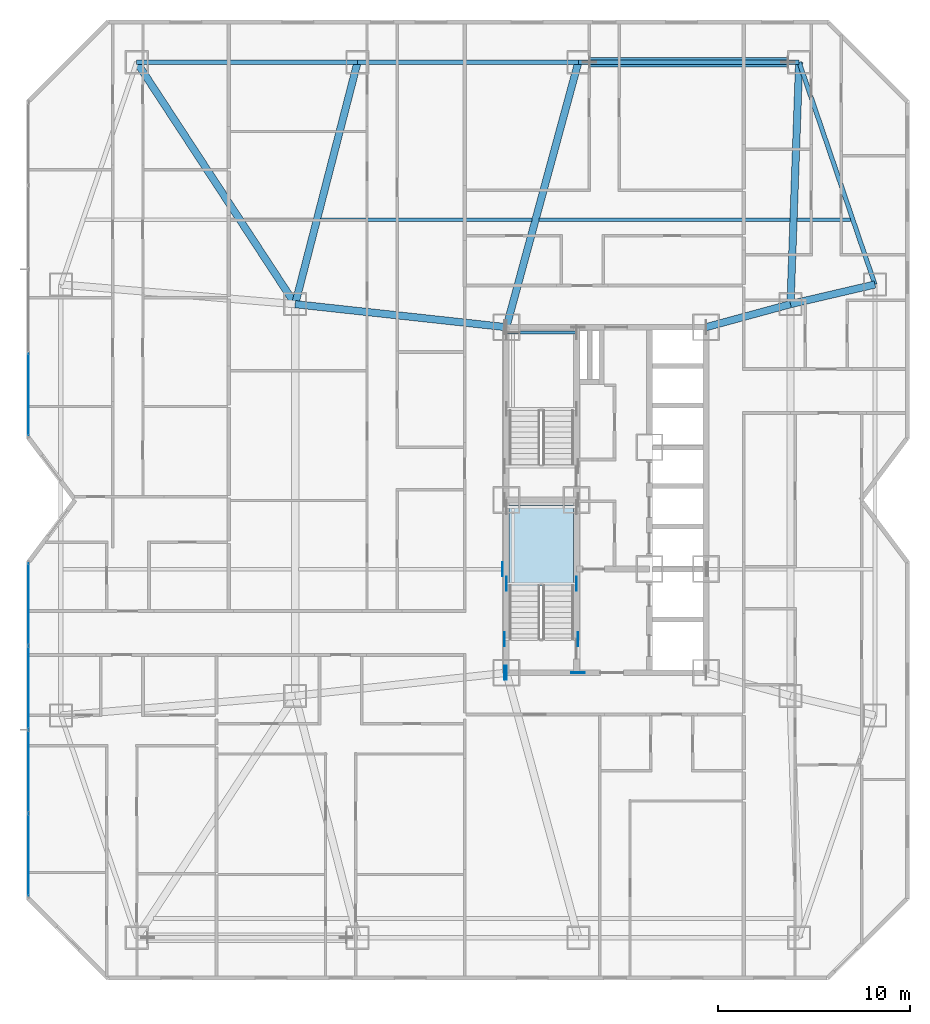
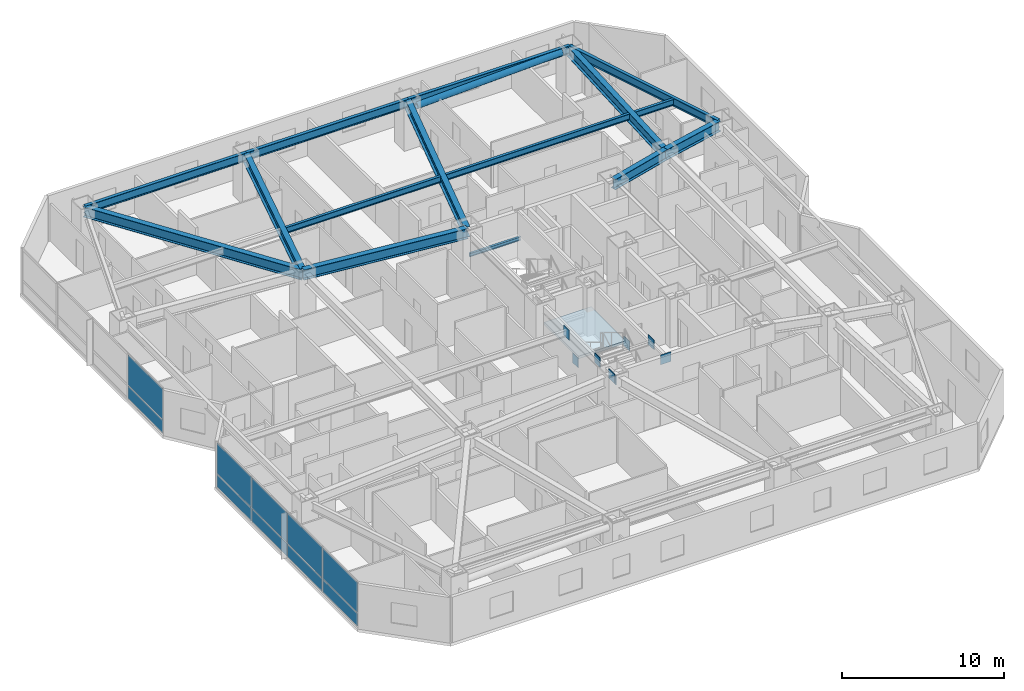
# One storey, part 12 of 25: 18 plates, 15 beams, 1 member, 1 slab, 3 elements without a shape of their own.
"""IFC4 building model written with IfcOpenShell, lengths in metres."""

from ifc_helpers import new_model, si_unit, direction, frame, origin, origin_2d, place, context, subcontext, project, spatial, polyline, rectangle, hollow_circle, i_section, outline, extrude, material, layer, layer_set, material_profile, profile_set, type_object, element, aggregate, save


model = new_model("IFC4")

# Units and contexts
model_context = context("Model", 3, precision=1e-05, world=origin(), true_north=direction((0.0, 1.0)))
body_context = subcontext(model_context, "Body", "Model", "MODEL_VIEW")
ifc_project = project(units=[si_unit("LENGTHUNIT", "METRE"), si_unit("AREAUNIT", "SQUARE_METRE"), si_unit("VOLUMEUNIT", "CUBIC_METRE"), si_unit("PLANEANGLEUNIT", "RADIAN"), si_unit("MASSUNIT", "GRAM", prefix="KILO")], contexts=[model_context])

# Site, building, storey
site_placement = place(None, origin())
site = spatial("IfcSite", under=ifc_project, at=site_placement, CompositionType="ELEMENT")
building_placement = place(site_placement, origin())
building = spatial("IfcBuilding", under=site, at=building_placement, Name="Khamvora Tower", CompositionType="ELEMENT")
storey_placement = place(building_placement, frame((0.0, 0.0, 36.949951171875)))
storey = spatial("IfcBuildingStorey", under=building, at=storey_placement, Name="L08", CompositionType="ELEMENT", Elevation=36.949951171875)

# Beams
ifc_material_1 = material(Name="Steel S355", Category="steel")
ifc_material_profile_1 = material_profile(ifc_material_1, i_section(OverallWidth=0.19189453125, OverallDepth=0.462890625, WebThickness=0.010986328125, FlangeThickness=0.01806640625, FilletRadius=0.011962890625, at=origin_2d()), Name="W460x89")
ifc_profile_set_1 = profile_set([ifc_material_profile_1], Name="Steel S355")
beam_type_1 = type_object("IfcBeamType", Name="BM-JS-W460x89", PredefinedType="JOIST", material=ifc_profile_set_1)
beam_1_placement = place(storey_placement, frame((19.326904296875, 42.60009765625, 3.198974609375), z_axis=(1.0, 0.0, 0.0), x_axis=(0.0, 1.0, 0.0)))
element("IfcBeam", 1, at=beam_1_placement, inside=storey, type_object=beam_type_1, Name="L08 secondary floor joist 10", PredefinedType="JOIST", context=body_context, shape_type="SweptSolid", body=[
    extrude(i_section(OverallWidth=0.19189453125, OverallDepth=0.462890625, WebThickness=0.010986328125, FlangeThickness=0.01806640625, FilletRadius=0.011962890625, at=origin_2d()), origin(), (0.0, 0.0, 1.0), 11.002197265625),
])
beam_2_placement = place(storey_placement, frame((30.714111328125, 42.60009765625, 3.198974609375), z_axis=(1.0, 0.0, 0.0), x_axis=(0.0, 1.0, 0.0)))
element("IfcBeam", 2, at=beam_2_placement, inside=storey, type_object=beam_type_1, Name="L08 secondary floor joist 11", PredefinedType="JOIST", context=body_context, shape_type="SweptSolid", body=[
    extrude(i_section(OverallWidth=0.19189453125, OverallDepth=0.462890625, WebThickness=0.010986328125, FlangeThickness=0.01806640625, FilletRadius=0.011962890625, at=origin_2d()), origin(), (0.0, 0.0, 1.0), 13.057861328125),
])
beam_3_placement = place(storey_placement, frame((44.14306640625, 42.60009765625, 3.198974609375), z_axis=(1.0, 0.0, 0.0), x_axis=(0.0, 1.0, 0.0)))
element("IfcBeam", 3, at=beam_3_placement, inside=storey, type_object=beam_type_1, Name="L08 secondary floor joist 12", PredefinedType="JOIST", context=body_context, shape_type="SweptSolid", body=[
    extrude(i_section(OverallWidth=0.19189453125, OverallDepth=0.462890625, WebThickness=0.010986328125, FlangeThickness=0.01806640625, FilletRadius=0.011962890625, at=origin_2d()), origin(), (0.0, 0.0, 1.0), 2.788818359375),
])
ifc_material_profile_2 = material_profile(ifc_material_1, i_section(OverallWidth=0.14697265625, OverallDepth=0.261962890625, WebThickness=0.007080078125, FlangeThickness=0.010986328125, FilletRadius=0.008056640625, at=origin_2d()), Name="W250x39")
ifc_profile_set_2 = profile_set([ifc_material_profile_2], Name="Steel S355")
beam_type_2 = type_object("IfcBeamType", Name="BM-LN-W250x39", PredefinedType="LINTEL", material=ifc_profile_set_2)
beam_4_placement = place(storey_placement, frame((29.0, 36.72998046875, 1.494140625), z_axis=(1.0, 0.0, 0.0), x_axis=(0.0, 1.0, 0.0)))
element("IfcBeam", 4, at=beam_4_placement, inside=storey, type_object=beam_type_2, Name="L08 ST-02 half-landing support beam 1.2", PredefinedType="LINTEL", context=body_context, shape_type="SweptSolid", body=[
    extrude(i_section(OverallWidth=0.14697265625, OverallDepth=0.261962890625, WebThickness=0.007080078125, FlangeThickness=0.010986328125, FilletRadius=0.008056640625, at=origin_2d()), origin(), (0.0, 0.0, 1.0), 3.64990234375),
])
ifc_material_profile_3 = material_profile(ifc_material_1, i_section(OverallWidth=0.381103515625, OverallDepth=0.77294921875, WebThickness=0.01708984375, FlangeThickness=0.027099609375, FilletRadius=0.01806640625, at=origin_2d()), Name="W760x257")
ifc_profile_set_3 = profile_set([ifc_material_profile_3], Name="Steel S355")
beam_type_3 = type_object("IfcBeamType", Name="BM-PG-W760x257", PredefinedType="BEAM", material=ifc_profile_set_3)
beam_5_placement = place(storey_placement, frame((18.0, 38.199951171875, 3.0439453125), z_axis=(-0.547782969742, 0.836620474325, 0.0), x_axis=(-0.836620474325, -0.547782969742, 0.0)))
element("IfcBeam", 5, at=beam_5_placement, inside=storey, type_object=beam_type_3, Name="L08 primary floor girder N1", PredefinedType="BEAM", context=body_context, shape_type="SweptSolid", body=[
    extrude(i_section(OverallWidth=0.381103515625, OverallDepth=0.77294921875, WebThickness=0.01708984375, FlangeThickness=0.027099609375, FilletRadius=0.01806640625, at=origin_2d()), origin(), (0.0, 0.0, 1.0), 15.060791015625),
])
beam_6_placement = place(storey_placement, frame((18.0, 38.199951171875, 3.0439453125), z_axis=(0.249759990341, 0.968307775051, 0.0), x_axis=(-0.968307775051, 0.249759990341, 0.0)))
element("IfcBeam", 6, at=beam_6_placement, inside=storey, type_object=beam_type_3, Name="L08 primary floor girder N2", PredefinedType="BEAM", context=body_context, shape_type="SweptSolid", body=[
    extrude(i_section(OverallWidth=0.381103515625, OverallDepth=0.77294921875, WebThickness=0.01708984375, FlangeThickness=0.027099609375, FilletRadius=0.01806640625, at=origin_2d()), origin(), (0.0, 0.0, 1.0), 13.012451171875),
])
beam_7_placement = place(storey_placement, frame((29.0, 37.0, 3.0439453125), z_axis=(0.262228883577, 0.965005706003, 0.0), x_axis=(-0.965005706003, 0.262228883577, 0.0)))
element("IfcBeam", 7, at=beam_7_placement, inside=storey, type_object=beam_type_3, Name="L08 primary floor girder N3", PredefinedType="BEAM", context=body_context, shape_type="SweptSolid", body=[
    extrude(i_section(OverallWidth=0.381103515625, OverallDepth=0.77294921875, WebThickness=0.01708984375, FlangeThickness=0.027099609375, FilletRadius=0.01806640625, at=origin_2d()), origin(), (0.0, 0.0, 1.0), 14.300537109375),
])
beam_8_placement = place(storey_placement, frame((43.800048828125, 38.199951171875, 3.0439453125), z_axis=(0.035687386423, 0.999363002342, 0.0), x_axis=(-0.999363002342, 0.035687386423, 0.0)))
element("IfcBeam", 8, at=beam_8_placement, inside=storey, type_object=beam_type_3, Name="L08 primary floor girder N4", PredefinedType="BEAM", context=body_context, shape_type="SweptSolid", body=[
    extrude(i_section(OverallWidth=0.381103515625, OverallDepth=0.77294921875, WebThickness=0.01708984375, FlangeThickness=0.027099609375, FilletRadius=0.01806640625, at=origin_2d()), origin(), (0.0, 0.0, 1.0), 12.608154296875),
])
beam_9_placement = place(storey_placement, frame((43.800048828125, 38.199951171875, 3.0439453125), z_axis=(0.973914503503, 0.226915270237, 0.0), x_axis=(-0.226915270237, 0.973914503503, 0.0)))
element("IfcBeam", 9, at=beam_9_placement, inside=storey, type_object=beam_type_3, Name="L08 primary floor girder E2", PredefinedType="BEAM", context=body_context, shape_type="SweptSolid", body=[
    extrude(i_section(OverallWidth=0.381103515625, OverallDepth=0.77294921875, WebThickness=0.01708984375, FlangeThickness=0.027099609375, FilletRadius=0.01806640625, at=origin_2d()), origin(), (0.0, 0.0, 1.0), 4.517822265625),
])
beam_10_placement = place(storey_placement, frame((29.0, 37.0, 3.0439453125), z_axis=(-0.994102652327, 0.108443149329, 0.0), x_axis=(-0.108443149329, -0.994102652327, 0.0)))
element("IfcBeam", 10, at=beam_10_placement, inside=storey, type_object=beam_type_3, Name="L08 primary floor girder MW2", PredefinedType="BEAM", context=body_context, shape_type="SweptSolid", body=[
    extrude(i_section(OverallWidth=0.381103515625, OverallDepth=0.77294921875, WebThickness=0.01708984375, FlangeThickness=0.027099609375, FilletRadius=0.01806640625, at=origin_2d()), origin(), (0.0, 0.0, 1.0), 11.065185546875),
])
beam_11_placement = place(storey_placement, frame((39.39990234375, 37.0, 3.0439453125), z_axis=(0.964768762286, 0.263099287945, 0.0), x_axis=(-0.263099287945, 0.964768762286, 0.0)))
element("IfcBeam", 11, at=beam_11_placement, inside=storey, type_object=beam_type_3, Name="L08 primary floor girder M2", PredefinedType="BEAM", context=body_context, shape_type="SweptSolid", body=[
    extrude(i_section(OverallWidth=0.381103515625, OverallDepth=0.77294921875, WebThickness=0.01708984375, FlangeThickness=0.027099609375, FilletRadius=0.01806640625, at=origin_2d()), origin(), (0.0, 0.0, 1.0), 4.560791015625),
])
ifc_material_profile_4 = material_profile(ifc_material_1, i_section(OverallWidth=0.22998046875, OverallDepth=0.616943359375, WebThickness=0.012939453125, FlangeThickness=0.02197265625, FilletRadius=0.013916015625, at=origin_2d()), Name="W610x140")
ifc_profile_set_4 = profile_set([ifc_material_profile_4], Name="Steel S355")
beam_type_4 = type_object("IfcBeamType", Name="BM-SP-W610x140", PredefinedType="SPANDREL", material=ifc_profile_set_4)
beam_12_placement = place(storey_placement, frame((48.199951171875, 39.22509765625, 3.1220703125), z_axis=(-0.322962893199, 0.946411628002, 0.0), x_axis=(-0.946411628002, -0.322962893199, 0.0)))
element("IfcBeam", 12, at=beam_12_placement, inside=storey, type_object=beam_type_4, Name="L08 perimeter spandrel beam E2-N4", PredefinedType="SPANDREL", context=body_context, shape_type="SweptSolid", body=[
    extrude(i_section(OverallWidth=0.22998046875, OverallDepth=0.616943359375, WebThickness=0.012939453125, FlangeThickness=0.02197265625, FilletRadius=0.013916015625, at=origin_2d()), origin(), (0.0, 0.0, 1.0), 12.23046875),
])
for number, where, z_axis, x_axis, name in (
    (13, (44.25, 50.800048828125, 3.1220703125), (-1.0, 0.0, 0.0), (0.0, -1.0, 0.0), "L08 perimeter spandrel beam N4-N3"),
    (14, (32.75, 50.800048828125, 3.1220703125), (-1.0, 0.0, 0.0), (0.0, -1.0, 0.0), "L08 perimeter spandrel beam N3-N2"),
    (15, (21.25, 50.800048828125, 3.1220703125), (-1.0, 0.0, 0.0), (0.0, -1.0, 0.0), "L08 perimeter spandrel beam N2-N1"),
):
    element("IfcBeam", number, at=place(storey_placement, frame(where, z_axis=z_axis, x_axis=x_axis)), inside=storey, type_object=beam_type_4, Name=name, PredefinedType="SPANDREL", context=body_context, shape_type="SweptSolid", body=[
        extrude(i_section(OverallWidth=0.22998046875, OverallDepth=0.616943359375, WebThickness=0.012939453125, FlangeThickness=0.02197265625, FilletRadius=0.013916015625, at=origin_2d()), origin(), (0.0, 0.0, 1.0), 11.5),
    ])

# Member
ifc_material_2 = material(Name="Steel S460", Category="steel")
ifc_material_profile_5 = material_profile(ifc_material_2, hollow_circle(Radius=0.25390625, WallThickness=0.02490234375, at=origin_2d()), Name="CHS508x25")
ifc_profile_set_5 = profile_set([ifc_material_profile_5], Name="Steel S460")
member_type = type_object("IfcMemberType", Name="MEM-BR-CHS508", PredefinedType="BRACE", material=ifc_profile_set_5)
member_placement = place(storey_placement, frame((33.330078125, 50.800048828125, 2.7021484375), z_axis=(0.99926019848, 0.0, 0.038458493661), x_axis=(0.0, 1.0, 0.0)))
element("IfcMember", 16, at=member_placement, inside=storey, type_object=member_type, Name="L08 perimeter wind brace 2", PredefinedType="BRACE", context=body_context, shape_type="SweptSolid", body=[
    extrude(hollow_circle(Radius=0.25390625, WallThickness=0.02490234375, at=origin_2d()), origin(), (0.0, 0.0, 1.0), 10.347412109375),
])

# Curtain wall, plates
ifc_material_3 = material(Name="Anodised Aluminium 6063-T6", Category="aluminium")
curtain_wall_type = type_object("IfcCurtainWallType", Name="CW-SYS-02", PredefinedType="NOTDEFINED", material=ifc_material_3)
curtain_wall_1_placement = place(storey_placement, origin())
curtain_wall_1 = element("IfcCurtainWall", 17, at=curtain_wall_1_placement, inside=storey, type_object=curtain_wall_type, Name="L08 stick curtain wall 02.1", PredefinedType="NOTDEFINED")
ifc_material_4 = material(Name="Low-E Laminated Double Glazing", Category="glass")
ifc_layer_1 = layer(ifc_material_4, 0.031982421875)
ifc_layer_set_1 = layer_set([ifc_layer_1], Name="Low-E Laminated Double Glazing")
plate_type_1 = type_object("IfcPlateType", Name="CW-SYS-02-PNL", PredefinedType="CURTAIN_PANEL", material=ifc_layer_set_1)
plate_1_placement = place(storey_placement, frame((4.110107421875, 9.51513671875, 0.06982421875), z_axis=(0.0, 0.0, 1.0), x_axis=(0.0, 1.0, 0.0)))
plate_1 = element("IfcPlate", 18, at=plate_1_placement, type_object=plate_type_1, Name="CW-02 panel 1.1", PredefinedType="CURTAIN_PANEL", context=body_context, shape_type="SweptSolid", body=[
    extrude(rectangle(XDim=4.256591796875, YDim=0.031982421875, at=origin_2d()), origin(), (0.0, 0.0, 1.0), 0.945068359375),
])
plate_2_placement = place(storey_placement, frame((4.110107421875, 9.51513671875, 1.085205078125), z_axis=(0.0, 0.0, 1.0), x_axis=(0.0, 1.0, 0.0)))
plate_2 = element("IfcPlate", 19, at=plate_2_placement, type_object=plate_type_1, Name="CW-02 panel 1.2", PredefinedType="CURTAIN_PANEL", context=body_context, shape_type="SweptSolid", body=[
    extrude(rectangle(XDim=4.256591796875, YDim=0.031982421875, at=origin_2d()), origin(), (0.0, 0.0, 1.0), 2.27490234375),
])
plate_3_placement = place(storey_placement, frame((4.110107421875, 13.859130859375, 0.06982421875), z_axis=(0.0, 0.0, 1.0), x_axis=(0.0, 1.0, 0.0)))
plate_3 = element("IfcPlate", 20, at=plate_3_placement, type_object=plate_type_1, Name="CW-02 panel 2.1", PredefinedType="CURTAIN_PANEL", context=body_context, shape_type="SweptSolid", body=[
    extrude(rectangle(XDim=4.29150390625, YDim=0.031982421875, at=origin_2d()), origin(), (0.0, 0.0, 1.0), 0.945068359375),
])
plate_4_placement = place(storey_placement, frame((4.110107421875, 13.859130859375, 1.085205078125), z_axis=(0.0, 0.0, 1.0), x_axis=(0.0, 1.0, 0.0)))
plate_4 = element("IfcPlate", 21, at=plate_4_placement, type_object=plate_type_1, Name="CW-02 panel 2.2", PredefinedType="CURTAIN_PANEL", context=body_context, shape_type="SweptSolid", body=[
    extrude(rectangle(XDim=4.29150390625, YDim=0.031982421875, at=origin_2d()), origin(), (0.0, 0.0, 1.0), 2.27490234375),
])
plate_5_placement = place(storey_placement, frame((4.110107421875, 18.220703125, 0.06982421875), z_axis=(0.0, 0.0, 1.0), x_axis=(0.0, 1.0, 0.0)))
plate_5 = element("IfcPlate", 22, at=plate_5_placement, type_object=plate_type_1, Name="CW-02 panel 3.1", PredefinedType="CURTAIN_PANEL", context=body_context, shape_type="SweptSolid", body=[
    extrude(rectangle(XDim=4.29150390625, YDim=0.031982421875, at=origin_2d()), origin(), (0.0, 0.0, 1.0), 0.945068359375),
])
plate_6_placement = place(storey_placement, frame((4.110107421875, 18.220703125, 1.085205078125), z_axis=(0.0, 0.0, 1.0), x_axis=(0.0, 1.0, 0.0)))
plate_6 = element("IfcPlate", 23, at=plate_6_placement, type_object=plate_type_1, Name="CW-02 panel 3.2", PredefinedType="CURTAIN_PANEL", context=body_context, shape_type="SweptSolid", body=[
    extrude(rectangle(XDim=4.29150390625, YDim=0.031982421875, at=origin_2d()), origin(), (0.0, 0.0, 1.0), 2.27490234375),
])
plate_7_placement = place(storey_placement, frame((4.110107421875, 22.564697265625, 0.06982421875), z_axis=(0.0, 0.0, 1.0), x_axis=(0.0, 1.0, 0.0)))
plate_7 = element("IfcPlate", 24, at=plate_7_placement, type_object=plate_type_1, Name="CW-02 panel 4.1", PredefinedType="CURTAIN_PANEL", context=body_context, shape_type="SweptSolid", body=[
    extrude(rectangle(XDim=4.256591796875, YDim=0.031982421875, at=origin_2d()), origin(), (0.0, 0.0, 1.0), 0.945068359375),
])
plate_8_placement = place(storey_placement, frame((4.110107421875, 22.564697265625, 1.085205078125), z_axis=(0.0, 0.0, 1.0), x_axis=(0.0, 1.0, 0.0)))
plate_8 = element("IfcPlate", 25, at=plate_8_placement, type_object=plate_type_1, Name="CW-02 panel 4.2", PredefinedType="CURTAIN_PANEL", context=body_context, shape_type="SweptSolid", body=[
    extrude(rectangle(XDim=4.256591796875, YDim=0.031982421875, at=origin_2d()), origin(), (0.0, 0.0, 1.0), 2.27490234375),
])
aggregate(curtain_wall_1, [plate_1, plate_2, plate_3, plate_4, plate_5, plate_6, plate_7, plate_8])

curtain_wall_2_placement = place(storey_placement, origin())
curtain_wall_2 = element("IfcCurtainWall", 26, at=curtain_wall_2_placement, inside=storey, type_object=curtain_wall_type, Name="L08 stick curtain wall 05.1", PredefinedType="NOTDEFINED")
plate_9_placement = place(storey_placement, frame((4.110107421875, 33.494873046875, 0.06982421875), z_axis=(0.0, 0.0, 1.0), x_axis=(0.0, 1.0, 0.0)))
plate_9 = element("IfcPlate", 27, at=plate_9_placement, type_object=plate_type_1, Name="CW-02 panel 1.1", PredefinedType="CURTAIN_PANEL", context=body_context, shape_type="SweptSolid", body=[
    extrude(rectangle(XDim=4.259765625, YDim=0.031982421875, at=origin_2d()), origin(), (0.0, 0.0, 1.0), 0.945068359375),
])
plate_10_placement = place(storey_placement, frame((4.110107421875, 33.494873046875, 1.085205078125), z_axis=(0.0, 0.0, 1.0), x_axis=(0.0, 1.0, 0.0)))
plate_10 = element("IfcPlate", 28, at=plate_10_placement, type_object=plate_type_1, Name="CW-02 panel 1.2", PredefinedType="CURTAIN_PANEL", context=body_context, shape_type="SweptSolid", body=[
    extrude(rectangle(XDim=4.259765625, YDim=0.031982421875, at=origin_2d()), origin(), (0.0, 0.0, 1.0), 2.27490234375),
])
aggregate(curtain_wall_2, [plate_9, plate_10])

# Plates
ifc_layer_2 = layer(ifc_material_2, 0.034912109375)
ifc_layer_set_2 = layer_set([ifc_layer_2], Name="Steel S460")
plate_type_2 = type_object("IfcPlateType", Name="PL-EMB-35", PredefinedType="SHEET", material=ifc_layer_set_2)
for number, where, z_axis, x_axis, name in (
    (29, (29.0, 23.635009765625, 1.13427734375), (0.0, 0.0, 1.0), (1.0, 0.0, 0.0), "L08 core shear wall cast-in embed plate 0254"),
    (30, (32.64990234375, 23.635009765625, 1.13427734375), (0.0, 0.0, 1.0), (1.0, 0.0, 0.0), "L08 core shear wall cast-in embed plate 0255"),
    (31, (29.0, 19.0, 2.68408203125), (0.0, 0.0, 1.0), (1.0, 0.0, 0.0), "L08 core shear wall cast-in embed plate 0263"),
    (32, (28.89990234375, 19.0, 2.80419921875), (0.0, 0.0, 1.0), (1.0, 0.0, 0.0), "L08 core shear wall cast-in embed plate 0267"),
):
    element("IfcPlate", number, at=place(storey_placement, frame(where, z_axis=z_axis, x_axis=x_axis)), inside=storey, type_object=plate_type_2, Name=name, PredefinedType="SHEET", context=body_context, shape_type="SweptSolid", body=[
        extrude(rectangle(XDim=0.034912109375, YDim=0.719970703125, at=origin_2d()), origin(), (0.0, 0.0, 1.0), 0.719970703125),
    ])
plate_11_placement = place(storey_placement, frame((32.72998046875, 19.0, 2.80419921875), z_axis=(0.0, 0.0, 1.0), x_axis=(1.0, 0.0, 0.0)))
element("IfcPlate", 33, at=plate_11_placement, inside=storey, type_object=plate_type_2, Name="L08 core shear wall cast-in embed plate 0270", PredefinedType="SHEET", context=body_context, shape_type="SweptSolid", body=[
    extrude(rectangle(XDim=0.719970703125, YDim=0.034912109375, at=origin_2d()), origin(), (0.0, 0.0, 1.0), 0.719970703125),
])
for number, where, z_axis, x_axis, name in (
    (34, (28.89990234375, 20.75, 2.94384765625), (0.0, 0.0, 1.0), (1.0, 0.0, 0.0), "L08 core shear wall cast-in embed plate 0276"),
    (35, (32.72998046875, 20.75, 2.94384765625), (0.0, 0.0, 1.0), (1.0, 0.0, 0.0), "L08 core shear wall cast-in embed plate 0277"),
    (36, (28.800048828125, 24.39990234375, 2.8388671875), (0.0, 0.0, 1.0), (1.0, 0.0, 0.0), "L08 core shear wall cast-in embed plate 0280"),
):
    element("IfcPlate", number, at=place(storey_placement, frame(where, z_axis=z_axis, x_axis=x_axis)), inside=storey, type_object=plate_type_2, Name=name, PredefinedType="SHEET", context=body_context, shape_type="SweptSolid", body=[
        extrude(rectangle(XDim=0.034912109375, YDim=0.719970703125, at=origin_2d()), origin(), (0.0, 0.0, 1.0), 0.719970703125),
    ])

# Stair, slab
ifc_material_5 = material(Name="Concrete C40/50", Category="concrete")
stair_type = type_object("IfcStairType", Name="STR-ST-01", PredefinedType="HALF_TURN_STAIR", material=ifc_material_5)
stair_placement = place(storey_placement, origin())
stair = element("IfcStair", 37, at=stair_placement, inside=storey, type_object=stair_type, Name="L08 South Tower Exit Stair ST-01", PredefinedType="HALF_TURN_STAIR")
ifc_layer_3 = layer(ifc_material_5, 0.199951171875)
ifc_layer_set_3 = layer_set([ifc_layer_3], Name="Concrete C40/50")
slab_type = type_object("IfcSlabType", Name="SLB-LND-200", PredefinedType="LANDING", material=ifc_layer_set_3)
slab_placement = place(storey_placement, frame((0.0, 0.0, 1.625)))
slab = element("IfcSlab", 38, at=slab_placement, type_object=slab_type, Name="ST-01 landing 1", PredefinedType="LANDING", context=body_context, shape_type="SweptSolid", body=[
    extrude(outline(polyline([(32.5, 23.514892578125), (32.5, 27.75), (29.14990234375, 27.75), (29.14990234375, 23.514892578125), (32.5, 23.514892578125)])), origin(), (0.0, 0.0, 1.0), 0.199951171875),
])
aggregate(stair, [slab])

save(model, "model.ifc")
